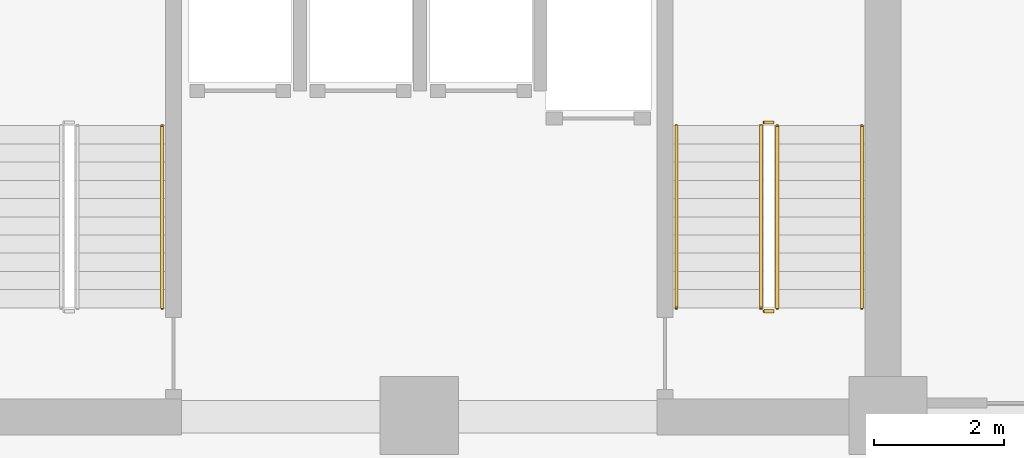
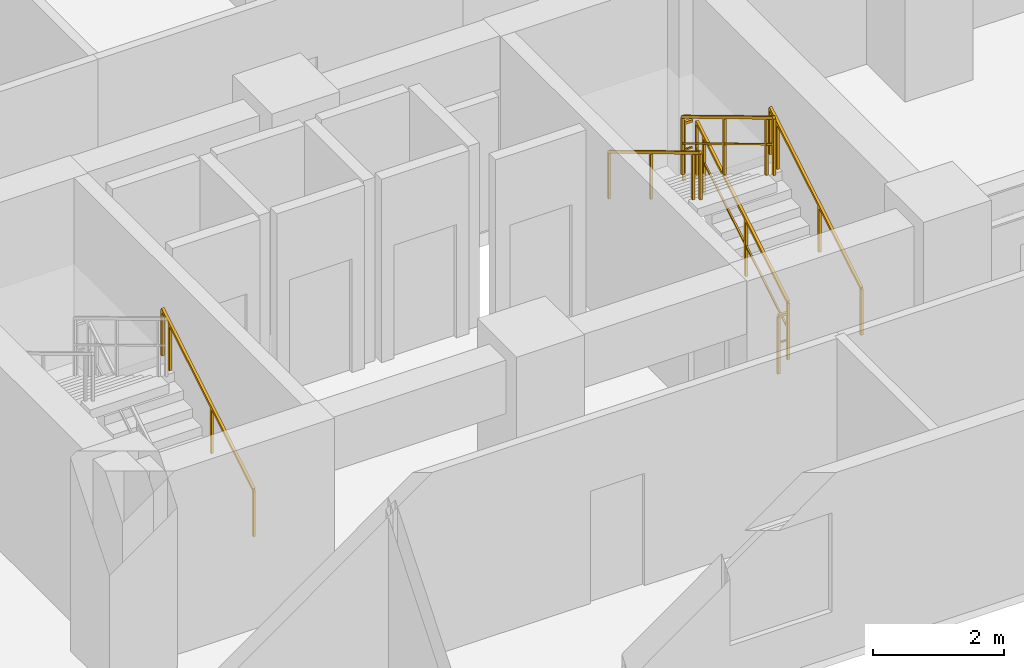
# One storey, part 15 of 16: 7 railings.
"""IFC4 building model written with IfcOpenShell, lengths in metres."""

from ifc_helpers import new_model, si_unit, direction, frame, origin, origin_2d, place, context, subcontext, project, spatial, rectangle, extrude, material, type_object, element, save


model = new_model("IFC4")

# Units and contexts
model_context = context("Model", 3, precision=1e-05, world=origin(), true_north=direction((0.0, 1.0)))
body_context = subcontext(model_context, "Body", "Model", "MODEL_VIEW")
ifc_project = project(units=[si_unit("LENGTHUNIT", "METRE"), si_unit("AREAUNIT", "SQUARE_METRE"), si_unit("VOLUMEUNIT", "CUBIC_METRE"), si_unit("PLANEANGLEUNIT", "RADIAN"), si_unit("MASSUNIT", "GRAM", prefix="KILO")], contexts=[model_context])

# Site, building, storey
site_placement = place(None, origin())
site = spatial("IfcSite", under=ifc_project, at=site_placement, CompositionType="ELEMENT")
building_placement = place(site_placement, origin())
building = spatial("IfcBuilding", under=site, at=building_placement, Name="Kaliganga Portal Commons", CompositionType="ELEMENT")
storey_placement = place(building_placement, frame((0.0, 0.0, 97.10009765625)))
storey = spatial("IfcBuildingStorey", under=building, at=storey_placement, Name="L24", CompositionType="ELEMENT", Elevation=97.10009765625)

# Railings
ifc_material_1 = material(Name="Galvanized Painted Steel Balustrade", Category="steel")
railing_type_1 = type_object("IfcRailingType", Name="RLG-STAIR-GRD", PredefinedType="GUARDRAIL", material=ifc_material_1)
railing_1_placement = place(storey_placement, frame((48.699951171875, 8.699951171875, 0.16796875)))
element("IfcRailing", 1, at=railing_1_placement, inside=storey, type_object=railing_type_1, Name="L24 ST-B2 stair guard 1", PredefinedType="GUARDRAIL", context=body_context, shape_type="SweptSolid", body=[
    extrude(rectangle(XDim=0.048095703125, YDim=0.048095703125, at=origin_2d()), frame((0.0, 0.0, 1.072021484375), z_axis=(0.0, 0.857242210791, 0.514913383045), x_axis=(-1.0, 0.0, 0.0)), (0.0, 0.0, 1.0), 3.266357421875),
    extrude(rectangle(XDim=0.028076171875, YDim=0.028076171875, at=origin_2d()), frame((0.0, 0.0, 0.572021484375), z_axis=(0.0, 0.857242210791, 0.514913383045), x_axis=(-1.0, 0.0, 0.0)), (0.0, 0.0, 1.0), 3.266357421875),
    extrude(rectangle(XDim=0.0419921875, YDim=0.0419921875, at=origin_2d()), origin(), (0.0, 0.0, 1.0), 1.052001953125),
    extrude(rectangle(XDim=0.0419921875, YDim=0.0419921875, at=origin_2d()), frame((0.0, 1.285888671875, 0.7724609375)), (0.0, 0.0, 1.0), 1.052001953125),
    extrude(rectangle(XDim=0.0419921875, YDim=0.0419921875, at=origin_2d()), frame((0.0, 2.57177734375, 1.544677734375)), (0.0, 0.0, 1.0), 1.052001953125),
    extrude(rectangle(XDim=0.0419921875, YDim=0.0419921875, at=origin_2d()), frame((0.0, 2.800048828125, 1.681884765625)), (0.0, 0.0, 1.0), 1.052001953125),
])
railing_2_placement = place(storey_placement, frame((48.64990234375, 11.550048828125, 1.849853515625)))
element("IfcRailing", 2, at=railing_2_placement, inside=storey, type_object=railing_type_1, Name="L24 ST-B2 stair guard 2", PredefinedType="GUARDRAIL", context=body_context, shape_type="SweptSolid", body=[
    extrude(rectangle(XDim=0.048095703125, YDim=0.048095703125, at=origin_2d()), frame((0.0, 0.0, 1.076171875), z_axis=(-1.0, 0.0, 0.0), x_axis=(0.0, -1.0, 0.0)), (0.0, 0.0, 1.0), 0.14990234375),
    extrude(rectangle(XDim=0.028076171875, YDim=0.028076171875, at=origin_2d()), frame((0.0, 0.0, 0.572021484375), z_axis=(-1.0, 0.0, 0.0), x_axis=(0.0, -1.0, 0.0)), (0.0, 0.0, 1.0), 0.14990234375),
    extrude(rectangle(XDim=0.0419921875, YDim=0.0419921875, at=origin_2d()), frame((-0.14990234375, 0.0, 0.0)), (0.0, 0.0, 1.0), 1.052001953125),
])
railing_3_placement = place(storey_placement, frame((48.449951171875, 11.5, 2.01806640625)))
element("IfcRailing", 3, at=railing_3_placement, inside=storey, type_object=railing_type_1, Name="L24 ST-B2 stair guard 3", PredefinedType="GUARDRAIL", context=body_context, shape_type="SweptSolid", body=[
    extrude(rectangle(XDim=0.048095703125, YDim=0.048095703125, at=origin_2d()), frame((0.0, 0.0, 1.072021484375), z_axis=(0.0, -0.857242210791, 0.514913383045), x_axis=(1.0, 0.0, 0.0)), (0.0, 0.0, 1.0), 3.266357421875),
    extrude(rectangle(XDim=0.028076171875, YDim=0.028076171875, at=origin_2d()), frame((0.0, 0.0, 0.572021484375), z_axis=(0.0, -0.857242210791, 0.514913383045), x_axis=(1.0, 0.0, 0.0)), (0.0, 0.0, 1.0), 3.266357421875),
    extrude(rectangle(XDim=0.0419921875, YDim=0.0419921875, at=origin_2d()), origin(), (0.0, 0.0, 1.0), 1.052001953125),
    extrude(rectangle(XDim=0.0419921875, YDim=0.0419921875, at=origin_2d()), frame((0.0, -1.285888671875, 0.7724609375)), (0.0, 0.0, 1.0), 1.052001953125),
    extrude(rectangle(XDim=0.0419921875, YDim=0.0419921875, at=origin_2d()), frame((0.0, -2.57177734375, 1.544677734375)), (0.0, 0.0, 1.0), 1.052001953125),
    extrude(rectangle(XDim=0.0419921875, YDim=0.0419921875, at=origin_2d()), frame((0.0, -2.800048828125, 1.681884765625)), (0.0, 0.0, 1.0), 1.052001953125),
])
railing_4_placement = place(storey_placement, frame((48.64990234375, 8.64990234375, 0.0)))
element("IfcRailing", 4, at=railing_4_placement, inside=storey, type_object=railing_type_1, Name="L24 ST-B2 stair guard 4", PredefinedType="GUARDRAIL", context=body_context, shape_type="SweptSolid", body=[
    extrude(rectangle(XDim=0.048095703125, YDim=0.048095703125, at=origin_2d()), frame((0.0, 0.0, 1.076171875), z_axis=(-1.0, 0.0, 0.0), x_axis=(0.0, -1.0, 0.0)), (0.0, 0.0, 1.0), 0.14990234375),
    extrude(rectangle(XDim=0.028076171875, YDim=0.028076171875, at=origin_2d()), frame((0.0, 0.0, 0.572021484375), z_axis=(-1.0, 0.0, 0.0), x_axis=(0.0, -1.0, 0.0)), (0.0, 0.0, 1.0), 0.14990234375),
    extrude(rectangle(XDim=0.0419921875, YDim=0.0419921875, at=origin_2d()), frame((-0.14990234375, 0.0, 0.0)), (0.0, 0.0, 1.0), 1.052001953125),
])
ifc_material_2 = material(Name="Brushed Stainless Steel 316", Category="steel")
railing_type_2 = type_object("IfcRailingType", Name="RLG-STAIR-HR", PredefinedType="HANDRAIL", material=ifc_material_2)
for number, where, name in (
    (5, (39.25, 8.699951171875, 0.16796875), "L24 ST-B1 stair handrail 1"),
    (6, (50.0, 8.699951171875, 0.16796875), "L24 ST-B2 stair handrail 1"),
):
    element("IfcRailing", number, at=place(storey_placement, frame(where)), inside=storey, type_object=railing_type_2, Name=name, PredefinedType="HANDRAIL", context=body_context, shape_type="SweptSolid", body=[
        extrude(rectangle(XDim=0.048095703125, YDim=0.048095703125, at=origin_2d()), frame((0.0, 0.0, 0.871826171875), z_axis=(0.0, 0.857242210791, 0.514913383045), x_axis=(-1.0, 0.0, 0.0)), (0.0, 0.0, 1.0), 3.266357421875),
        extrude(rectangle(XDim=0.0419921875, YDim=0.0419921875, at=origin_2d()), origin(), (0.0, 0.0, 1.0), 0.851806640625),
        extrude(rectangle(XDim=0.0419921875, YDim=0.0419921875, at=origin_2d()), frame((0.0, 1.285888671875, 0.7724609375)), (0.0, 0.0, 1.0), 0.851806640625),
        extrude(rectangle(XDim=0.0419921875, YDim=0.0419921875, at=origin_2d()), frame((0.0, 2.57177734375, 1.544677734375)), (0.0, 0.0, 1.0), 0.851806640625),
        extrude(rectangle(XDim=0.0419921875, YDim=0.0419921875, at=origin_2d()), frame((0.0, 2.800048828125, 1.681884765625)), (0.0, 0.0, 1.0), 0.851806640625),
    ])
railing_5_placement = place(storey_placement, frame((47.14990234375, 11.5, 2.01806640625)))
element("IfcRailing", 7, at=railing_5_placement, inside=storey, type_object=railing_type_2, Name="L24 ST-B2 stair handrail 2", PredefinedType="HANDRAIL", context=body_context, shape_type="SweptSolid", body=[
    extrude(rectangle(XDim=0.048095703125, YDim=0.048095703125, at=origin_2d()), frame((0.0, 0.0, 0.871826171875), z_axis=(0.0, -0.857242210791, 0.514913383045), x_axis=(1.0, 0.0, 0.0)), (0.0, 0.0, 1.0), 3.266357421875),
    extrude(rectangle(XDim=0.0419921875, YDim=0.0419921875, at=origin_2d()), origin(), (0.0, 0.0, 1.0), 0.851806640625),
    extrude(rectangle(XDim=0.0419921875, YDim=0.0419921875, at=origin_2d()), frame((0.0, -1.285888671875, 0.7724609375)), (0.0, 0.0, 1.0), 0.851806640625),
    extrude(rectangle(XDim=0.0419921875, YDim=0.0419921875, at=origin_2d()), frame((0.0, -2.57177734375, 1.544677734375)), (0.0, 0.0, 1.0), 0.851806640625),
    extrude(rectangle(XDim=0.0419921875, YDim=0.0419921875, at=origin_2d()), frame((0.0, -2.800048828125, 1.681884765625)), (0.0, 0.0, 1.0), 0.851806640625),
])

save(model, "model.ifc")
